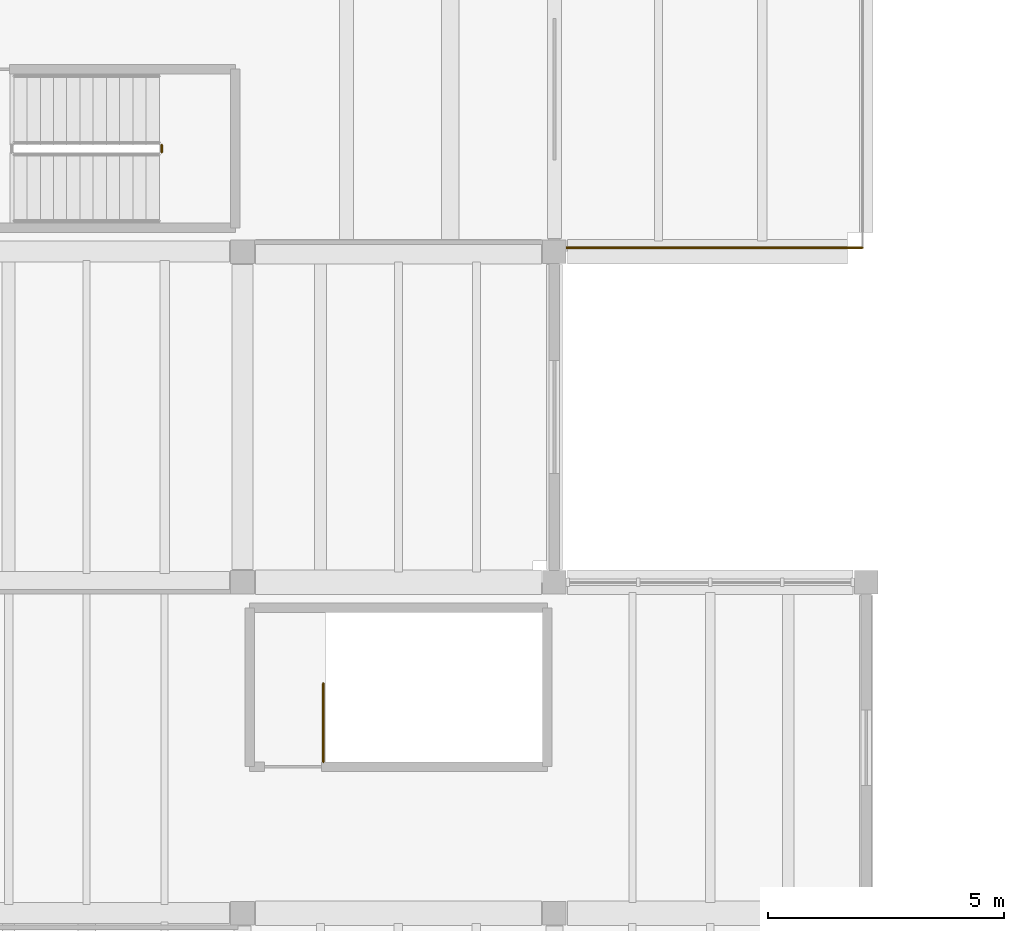
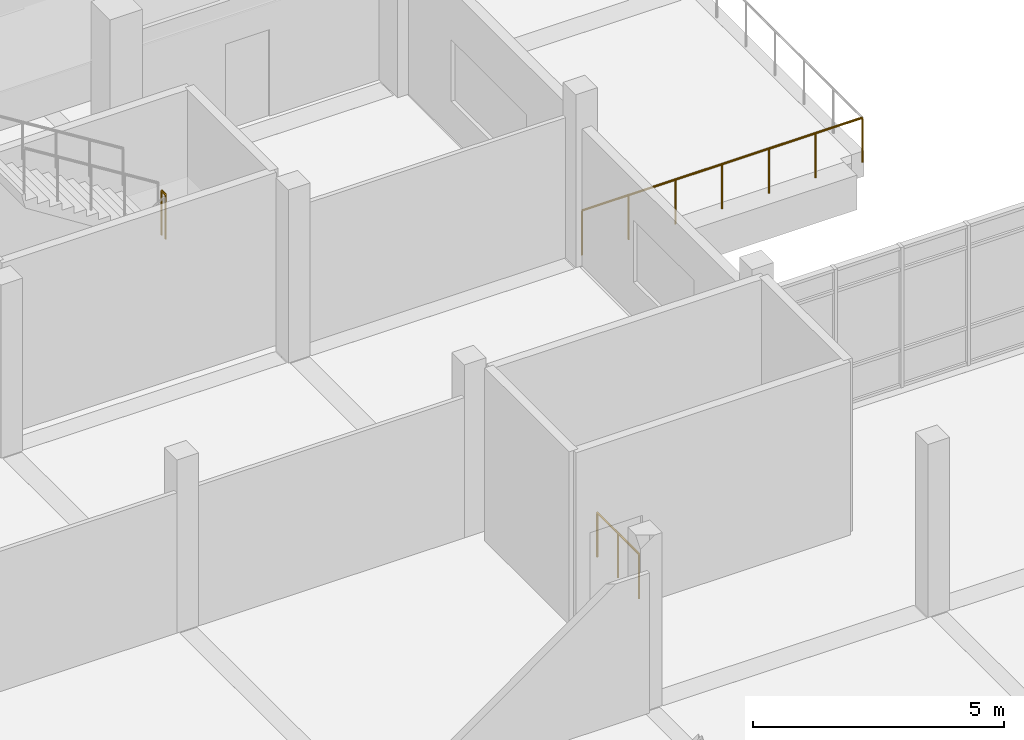
# One storey, part 64 of 65: 3 railings.
"""IFC4 building model written with IfcOpenShell, lengths in metres."""

from ifc_helpers import new_model, si_unit, direction, frame, origin, origin_2d, place, context, subcontext, project, spatial, circle, extrude, material, type_object, element, save


model = new_model("IFC4")

# Units and contexts
model_context = context("Model", 3, precision=1e-05, world=origin(), true_north=direction((0.0, 1.0)))
body_context = subcontext(model_context, "Body", "Model", "MODEL_VIEW")
ifc_project = project(units=[si_unit("LENGTHUNIT", "METRE"), si_unit("AREAUNIT", "SQUARE_METRE"), si_unit("VOLUMEUNIT", "CUBIC_METRE"), si_unit("PLANEANGLEUNIT", "RADIAN"), si_unit("MASSUNIT", "GRAM", prefix="KILO")], contexts=[model_context])

# Site, building, storey
site_placement = place(None, origin())
site = spatial("IfcSite", under=ifc_project, at=site_placement, CompositionType="ELEMENT")
building_placement = place(site_placement, origin())
building = spatial("IfcBuilding", under=site, at=building_placement, Name="Ciguamira Faculty of Natural Sciences", CompositionType="ELEMENT")
storey_placement = place(building_placement, frame((0.0, 0.0, 12.60009765625)))
storey = spatial("IfcBuildingStorey", under=building, at=storey_placement, Name="L03", CompositionType="ELEMENT", Elevation=12.60009765625)

# Railings
ifc_material = material(Name="Stainless steel balustrade", Category="steel")
railing_type = type_object("IfcRailingType", Name="Guardrail_GR01", PredefinedType="GUARDRAIL", material=ifc_material)
railing_1_placement = place(storey_placement, frame((110.179931640625, 94.080078125, 0.0)))
element("IfcRailing", 1, at=railing_1_placement, inside=storey, type_object=railing_type, Name="L03 Research East Setback Terrace south guardrail", PredefinedType="GUARDRAIL", context=body_context, shape_type="SweptSolid", body=[
    extrude(circle(Radius=0.02392578125, at=origin_2d()), frame((0.0, 0.0, 1.076171875), z_axis=(1.0, 0.0, 0.0), x_axis=(0.0, 1.0, 0.0)), (0.0, 0.0, 1.0), 6.440185546875),
    extrude(circle(Radius=0.02099609375, at=origin_2d()), origin(), (0.0, 0.0, 1.0), 1.052001953125),
    extrude(circle(Radius=0.02099609375, at=origin_2d()), frame((1.0732421875, 0.0, 0.0)), (0.0, 0.0, 1.0), 1.052001953125),
    extrude(circle(Radius=0.02099609375, at=origin_2d()), frame((2.146728515625, 0.0, 0.0)), (0.0, 0.0, 1.0), 1.052001953125),
    extrude(circle(Radius=0.02099609375, at=origin_2d()), frame((3.22021484375, 0.0, 0.0)), (0.0, 0.0, 1.0), 1.052001953125),
    extrude(circle(Radius=0.02099609375, at=origin_2d()), frame((4.29345703125, 0.0, 0.0)), (0.0, 0.0, 1.0), 1.052001953125),
    extrude(circle(Radius=0.02099609375, at=origin_2d()), frame((5.36669921875, 0.0, 0.0)), (0.0, 0.0, 1.0), 1.052001953125),
    extrude(circle(Radius=0.02099609375, at=origin_2d()), frame((6.440185546875, 0.0, 0.0)), (0.0, 0.0, 1.0), 1.052001953125),
])
railing_2_placement = place(storey_placement, frame((101.7900390625, 96.10009765625, 2.099853515625)))
element("IfcRailing", 2, at=railing_2_placement, inside=storey, type_object=railing_type, Name="L03 ST-T2 stair guard 2", PredefinedType="GUARDRAIL", context=body_context, shape_type="SweptSolid", body=[
    extrude(circle(Radius=0.02392578125, at=origin_2d()), frame((0.0, 0.0, 1.076171875), z_axis=(0.0, 1.0, 0.0), x_axis=(-1.0, 0.0, 0.0)), (0.0, 0.0, 1.0), 0.159912109375),
    extrude(circle(Radius=0.02099609375, at=origin_2d()), origin(), (0.0, 0.0, 1.0), 1.052001953125),
    extrude(circle(Radius=0.02099609375, at=origin_2d()), frame((0.0, 0.159912109375, 0.0)), (0.0, 0.0, 1.0), 1.052001953125),
])
railing_3_placement = place(storey_placement, frame((105.2099609375, 83.199951171875, 0.0)))
element("IfcRailing", 3, at=railing_3_placement, inside=storey, type_object=railing_type, Name="L03 ST-W2 top well guard 1", PredefinedType="GUARDRAIL", context=body_context, shape_type="SweptSolid", body=[
    extrude(circle(Radius=0.02392578125, at=origin_2d()), frame((0.0, 0.0, 1.076171875), z_axis=(0.0, 1.0, 0.0), x_axis=(-1.0, 0.0, 0.0)), (0.0, 0.0, 1.0), 1.66015625),
    extrude(circle(Radius=0.02099609375, at=origin_2d()), origin(), (0.0, 0.0, 1.0), 1.052001953125),
    extrude(circle(Radius=0.02099609375, at=origin_2d()), frame((0.0, 0.830078125, 0.0)), (0.0, 0.0, 1.0), 1.052001953125),
    extrude(circle(Radius=0.02099609375, at=origin_2d()), frame((0.0, 1.66015625, 0.0)), (0.0, 0.0, 1.0), 1.052001953125),
])

save(model, "model.ifc")
